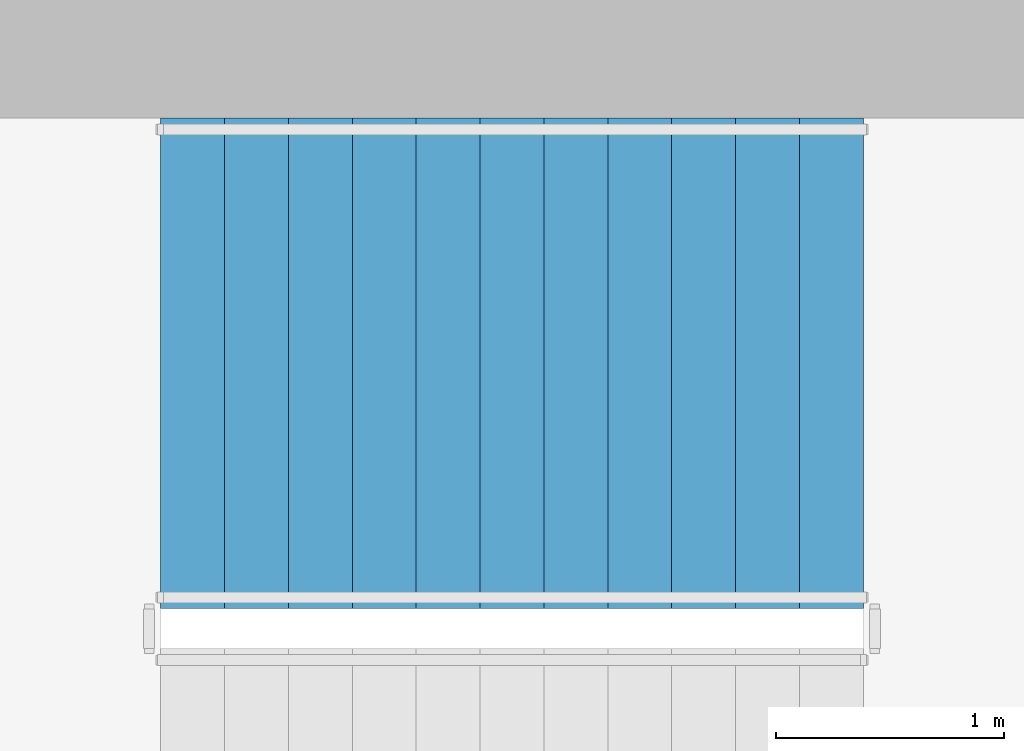
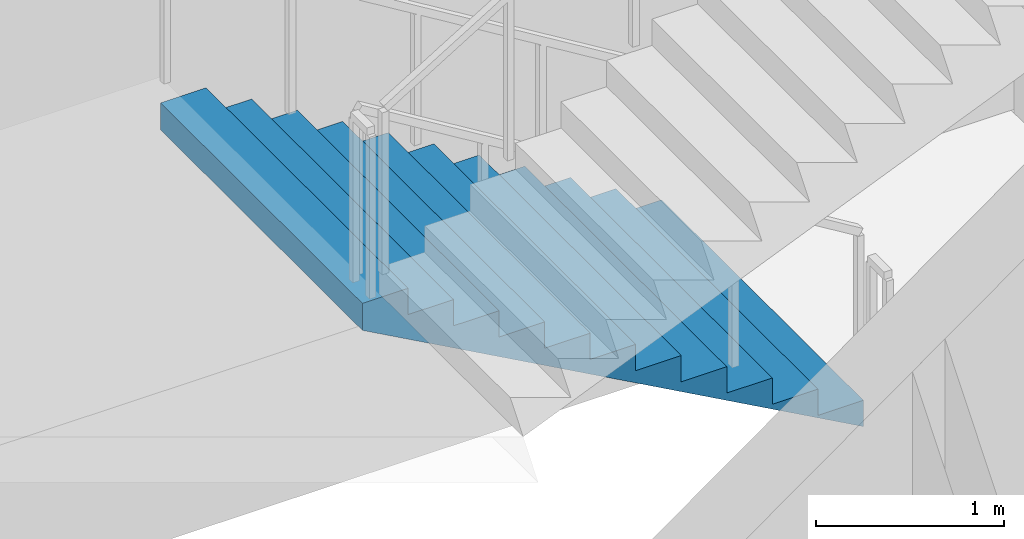
# One storey, part 8 of 13: 1 stair flight, 1 element without a shape of its own.
"""IFC4 building model written with IfcOpenShell, lengths in metres."""

from ifc_helpers import new_model, si_unit, direction, frame, origin, place, context, subcontext, project, spatial, triangles, material, type_object, element, aggregate, save


model = new_model("IFC4")

# Units and contexts
model_context = context("Model", 3, precision=1e-05, world=origin(), true_north=direction((0.0, 1.0)))
body_context = subcontext(model_context, "Body", "Model", "MODEL_VIEW")
ifc_project = project(units=[si_unit("LENGTHUNIT", "METRE"), si_unit("AREAUNIT", "SQUARE_METRE"), si_unit("VOLUMEUNIT", "CUBIC_METRE"), si_unit("PLANEANGLEUNIT", "RADIAN"), si_unit("MASSUNIT", "GRAM", prefix="KILO")], contexts=[model_context])

# Site, building, storey
site_placement = place(None, origin())
site = spatial("IfcSite", under=ifc_project, at=site_placement, CompositionType="ELEMENT")
building_placement = place(site_placement, origin())
building = spatial("IfcBuilding", under=site, at=building_placement, Name="Cypress Arch Tower", CompositionType="ELEMENT")
storey_placement = place(building_placement, frame((0.0, 0.0, 189.199951171875)))
storey = spatial("IfcBuildingStorey", under=building, at=storey_placement, Name="L41", CompositionType="ELEMENT", Elevation=189.199951171875)

# Stair, stair flight
ifc_material_1 = material(Name="Concrete C40/50", Category="concrete")
stair_type = type_object("IfcStairType", Name="Exit stair ES1708-215", PredefinedType="HALF_TURN_STAIR", material=ifc_material_1)
stair_placement = place(storey_placement, origin())
stair = element("IfcStair", 1, at=stair_placement, inside=storey, type_object=stair_type, Name="L41 Exit stair B", PredefinedType="HALF_TURN_STAIR")
ifc_material_2 = material(Name="Concrete C40/50", Category="concrete")
stair_flight_type = type_object("IfcStairFlightType", Name="Exit stair flight ES1708-215", PredefinedType="STRAIGHT", material=ifc_material_2)
stair_flight_placement = place(storey_placement, frame((-22.27490234375, 13.72509765625, 0.0), z_axis=(0.0, 0.0, 1.0), x_axis=(-1.0, 0.0, 0.0)))
stair_flight = element("IfcStairFlight", 2, at=stair_flight_placement, type_object=stair_flight_type, Name="B flight 1", NumberOfRisers=12, NumberOfTreads=11, PredefinedType="STRAIGHT", RiserHeight=0.170833333, TreadLength=0.28, context=body_context, shape_type="Tessellation", body=[
    triangles([(0.0, -1.074951171875, 0.0), (0.000244140625, -1.074951171875, 0.01904296875), (0.000244140625, -1.074951171875, 0.0380859375), (0.00048828125, -1.074951171875, 0.056884765625), (0.00048828125, -1.074951171875, 0.075927734375), (0.00048828125, -1.074951171875, 0.094970703125), (0.00048828125, -1.074951171875, 0.114013671875), (0.000244140625, -1.074951171875, 0.1328125), (0.000244140625, -1.074951171875, 0.15185546875), (0.0, -1.074951171875, 0.1708984375), (0.280029296875, -1.074951171875, 0.1708984375), (0.280029296875, -1.074951171875, 0.341552734375), (0.56005859375, -1.074951171875, 0.341552734375), (0.56005859375, -1.074951171875, 0.512451171875), (0.840087890625, -1.074951171875, 0.512451171875), (0.840087890625, -1.074951171875, 0.683349609375), (1.1201171875, -1.074951171875, 0.683349609375), (1.1201171875, -1.074951171875, 0.854248046875), (1.39990234375, -1.074951171875, 0.854248046875), (1.39990234375, -1.074951171875, 1.02490234375), (1.679931640625, -1.074951171875, 1.02490234375), (1.679931640625, -1.074951171875, 1.19580078125), (1.9599609375, -1.074951171875, 1.19580078125), (1.9599609375, -1.074951171875, 1.36669921875), (2.239990234375, -1.074951171875, 1.36669921875), (2.239990234375, -1.074951171875, 1.53759765625), (2.52001953125, -1.074951171875, 1.53759765625), (2.52001953125, -1.074951171875, 1.708251953125), (2.800048828125, -1.074951171875, 1.708251953125), (2.800048828125, -1.074951171875, 1.879150390625), (3.080078125, -1.074951171875, 1.879150390625), (3.079833984375, -1.074951171875, 1.859619140625), (3.079833984375, -1.074951171875, 1.840087890625), (3.07958984375, -1.074951171875, 1.820556640625), (3.07958984375, -1.074951171875, 1.801025390625), (3.07958984375, -1.074951171875, 1.78173828125), (3.07958984375, -1.074951171875, 1.76220703125), (3.079833984375, -1.074951171875, 1.74267578125), (3.079833984375, -1.074951171875, 1.72314453125), (3.080078125, -1.074951171875, 1.70361328125), (3.080078125, 1.074951171875, 1.70361328125), (3.079833984375, 1.074951171875, 1.72314453125), (3.079833984375, 1.074951171875, 1.74267578125), (3.07958984375, 1.074951171875, 1.76220703125), (3.07958984375, 1.074951171875, 1.78173828125), (3.07958984375, 1.074951171875, 1.801025390625), (3.07958984375, 1.074951171875, 1.820556640625), (3.079833984375, 1.074951171875, 1.840087890625), (3.079833984375, 1.074951171875, 1.859619140625), (3.080078125, 1.074951171875, 1.879150390625), (2.800048828125, 1.074951171875, 1.879150390625), (2.800048828125, 1.074951171875, 1.708251953125), (2.52001953125, 1.074951171875, 1.708251953125), (2.52001953125, 1.074951171875, 1.53759765625), (2.239990234375, 1.074951171875, 1.53759765625), (2.239990234375, 1.074951171875, 1.36669921875), (1.9599609375, 1.074951171875, 1.36669921875), (1.9599609375, 1.074951171875, 1.19580078125), (1.679931640625, 1.074951171875, 1.19580078125), (1.679931640625, 1.074951171875, 1.02490234375), (1.39990234375, 1.074951171875, 1.02490234375), (1.39990234375, 1.074951171875, 0.854248046875), (1.1201171875, 1.074951171875, 0.854248046875), (1.1201171875, 1.074951171875, 0.683349609375), (0.840087890625, 1.074951171875, 0.683349609375), (0.840087890625, 1.074951171875, 0.512451171875), (0.56005859375, 1.074951171875, 0.512451171875), (0.56005859375, 1.074951171875, 0.341552734375), (0.280029296875, 1.074951171875, 0.341552734375), (0.280029296875, 1.074951171875, 0.1708984375), (0.0, 1.074951171875, 0.1708984375), (0.000244140625, 1.074951171875, 0.15185546875), (0.000244140625, 1.074951171875, 0.1328125), (0.00048828125, 1.074951171875, 0.114013671875), (0.00048828125, 1.074951171875, 0.094970703125), (0.00048828125, 1.074951171875, 0.075927734375), (0.00048828125, 1.074951171875, 0.056884765625), (0.000244140625, 1.074951171875, 0.0380859375), (0.000244140625, 1.074951171875, 0.01904296875), (0.0, 1.074951171875, 0.0)], [[40, 39, 30], [39, 38, 30], [38, 37, 30], [37, 36, 30], [36, 35, 30], [35, 34, 30], [34, 33, 30], [33, 32, 30], [32, 31, 30], [19, 18, 17], [27, 26, 25], [25, 24, 23], [23, 22, 21], [17, 16, 15], [15, 14, 13], [10, 9, 11], [9, 8, 11], [8, 7, 11], [7, 6, 11], [6, 5, 11], [5, 4, 11], [4, 3, 11], [3, 2, 11], [2, 1, 11], [29, 28, 27], [21, 20, 19], [13, 12, 11], [40, 30, 29], [40, 29, 27], [40, 27, 25], [40, 25, 23], [40, 23, 21], [40, 21, 19], [40, 19, 17], [40, 17, 15], [40, 15, 13], [1, 40, 13], [13, 11, 1], [41, 51, 42], [42, 51, 43], [43, 51, 44], [44, 51, 45], [45, 51, 46], [46, 51, 47], [47, 51, 48], [48, 51, 49], [49, 51, 50], [62, 64, 63], [54, 56, 55], [56, 58, 57], [58, 60, 59], [64, 66, 65], [66, 68, 67], [71, 70, 72], [72, 70, 73], [73, 70, 74], [74, 70, 75], [75, 70, 76], [76, 70, 77], [77, 70, 78], [78, 70, 79], [79, 70, 80], [52, 54, 53], [60, 62, 61], [68, 70, 69], [41, 52, 51], [41, 54, 52], [41, 56, 54], [41, 58, 56], [41, 60, 58], [41, 62, 60], [41, 64, 62], [41, 66, 64], [41, 68, 66], [80, 68, 41], [68, 80, 70], [41, 42, 39], [41, 39, 40], [42, 43, 38], [42, 38, 39], [43, 44, 37], [43, 37, 38], [44, 45, 36], [44, 36, 37], [45, 46, 35], [45, 35, 36], [46, 47, 34], [46, 34, 35], [47, 48, 33], [47, 33, 34], [48, 49, 32], [48, 32, 33], [49, 50, 31], [49, 31, 32], [50, 51, 30], [50, 30, 31], [51, 52, 29], [51, 29, 30], [52, 53, 28], [52, 28, 29], [53, 54, 27], [53, 27, 28], [54, 55, 26], [54, 26, 27], [55, 56, 25], [55, 25, 26], [56, 57, 24], [56, 24, 25], [57, 58, 23], [57, 23, 24], [58, 59, 22], [58, 22, 23], [59, 60, 21], [59, 21, 22], [60, 61, 20], [60, 20, 21], [61, 62, 19], [61, 19, 20], [62, 63, 18], [62, 18, 19], [63, 64, 17], [63, 17, 18], [64, 65, 16], [64, 16, 17], [65, 66, 15], [65, 15, 16], [66, 67, 14], [66, 14, 15], [67, 68, 13], [67, 13, 14], [68, 69, 12], [68, 12, 13], [69, 70, 11], [69, 11, 12], [70, 71, 10], [70, 10, 11], [71, 72, 9], [71, 9, 10], [72, 73, 8], [72, 8, 9], [73, 74, 7], [73, 7, 8], [74, 75, 6], [74, 6, 7], [75, 76, 5], [75, 5, 6], [76, 77, 4], [76, 4, 5], [77, 78, 3], [77, 3, 4], [78, 79, 2], [78, 2, 3], [79, 80, 1], [79, 1, 2], [80, 41, 40], [80, 40, 1]], closed=True),
])
aggregate(stair, [stair_flight])

save(model, "model.ifc")
